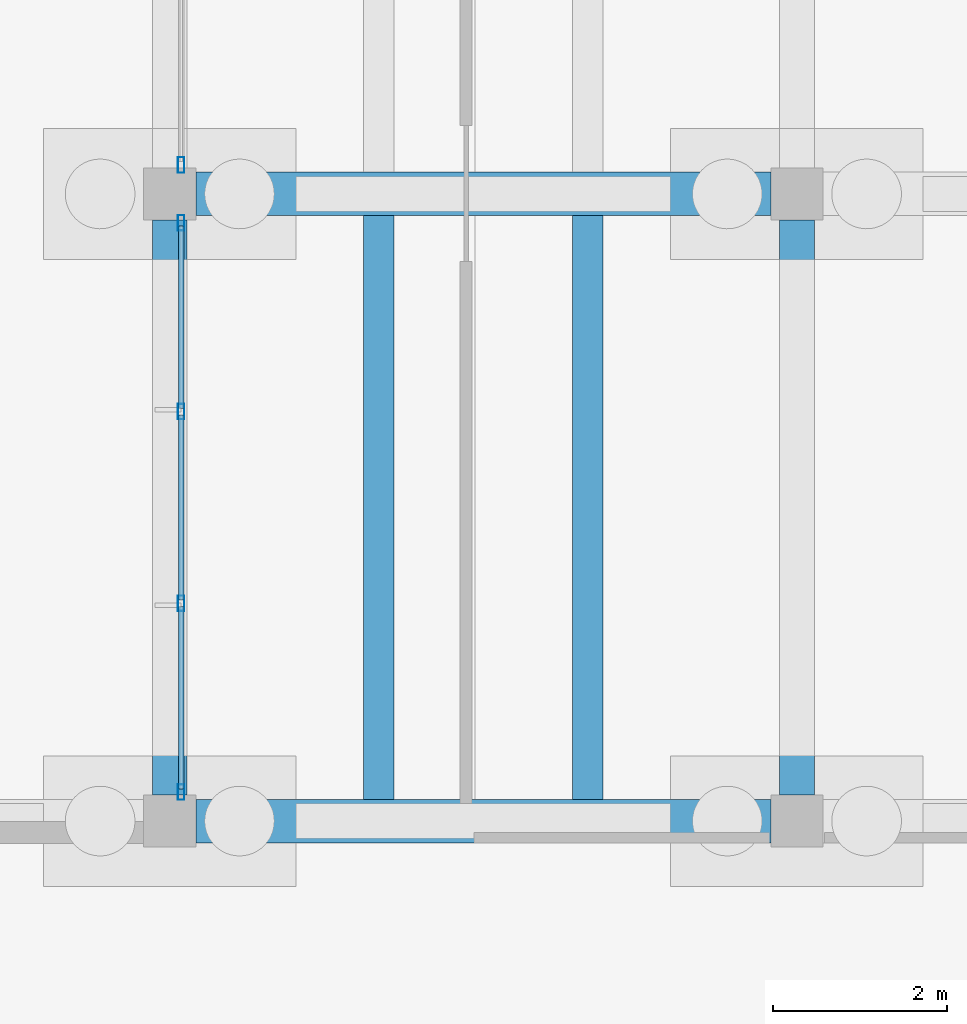
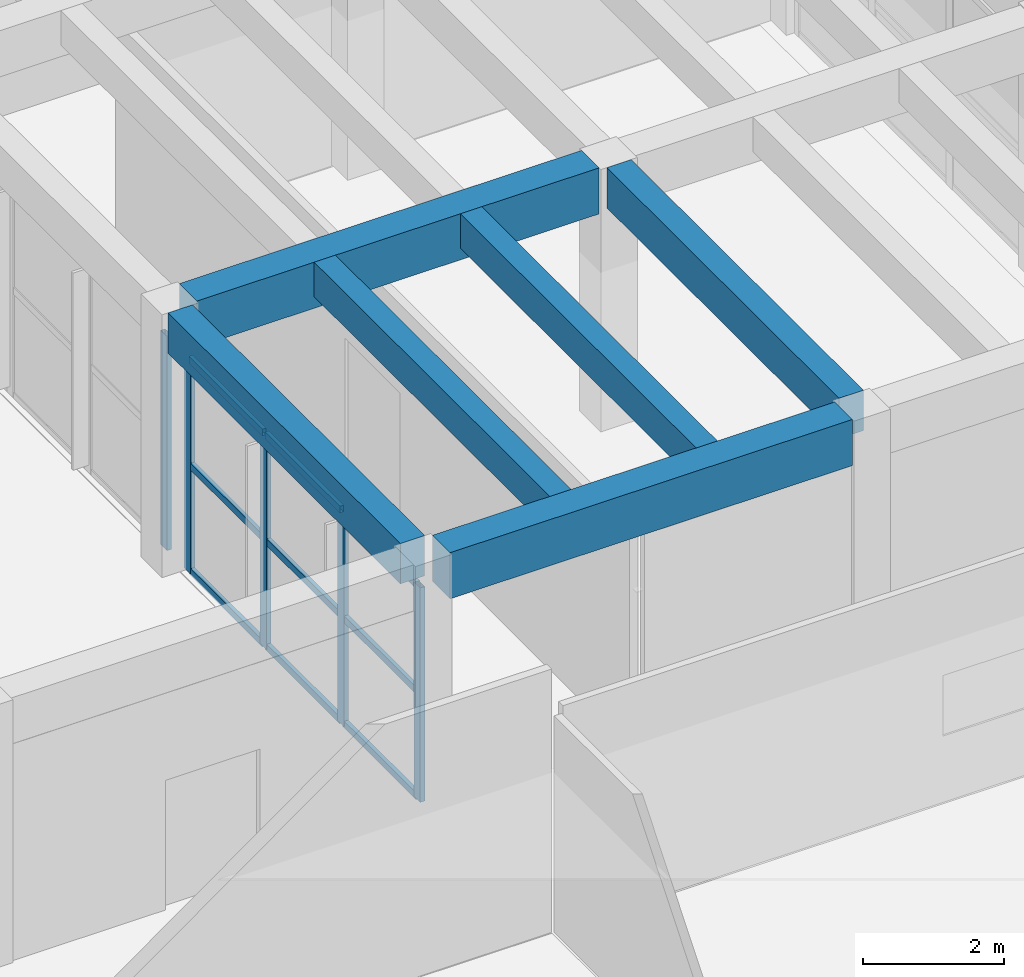
# One storey, part 46 of 155: 14 members, 6 beams, 2 elements without a shape of their own.
"""IFC4 building model written with IfcOpenShell, lengths in metres."""

import ifcopenshell
import ifcopenshell.guid

model = None  # the IFC model being written
_history = None  # IfcOwnerHistory: only IFC2X3 demands one
_inside = {}  # id of a spatial element -> (the spatial element, [elements in it])
_under = {}  # id of a project, library or spatial element -> (it, [spatial elements below it])
_declared = {}  # id of a project -> (the project, [libraries it declares])
_typed = {}  # id of a type object -> (the type object, [elements of that type])
_made_of = {}  # id of a material, layer set ... -> (it, [elements and type objects made of it])


def new_model(schema):
    """Start an empty IFC model of exactly this schema.

    Asked for "IFC4X3", IfcOpenShell would pick the latest addendum, in which some entities
    have other attributes; the version numbers below select the first issue.
    IFC2X3 requires an IfcOwnerHistory on every rooted entity: one is made here for all.
    """
    global model, _history
    if schema == "IFC4X3":
        model = ifcopenshell.file(schema_version=(4, 3, 0, 0))
    else:
        model = ifcopenshell.file(schema=schema)
    _inside.clear()
    _under.clear()
    _declared.clear()
    _typed.clear()
    _made_of.clear()
    _history = None
    if model.schema == "IFC2X3":
        org = make("IfcOrganization", Name="unknown")
        user = make(
            "IfcPersonAndOrganization",
            ThePerson=make("IfcPerson", FamilyName="unknown"),
            TheOrganization=org,
        )
        app = make(
            "IfcApplication",
            ApplicationDeveloper=org,
            Version="unknown",
            ApplicationFullName="unknown",
            ApplicationIdentifier="unknown",
        )
        _history = make(
            "IfcOwnerHistory",
            OwningUser=user,
            OwningApplication=app,
            ChangeAction="ADDED",
            CreationDate=0,
        )
    return model


def make(cls, **values):
    """One entity of the class cls with the attributes given. An attribute that is None is left unset."""
    return model.create_entity(
        cls, **{name: value for name, value in values.items() if value is not None}
    )


def rooted(cls, **values):
    """An entity with a GlobalId (a new one), such as an element, a storey or a relation."""
    return make(cls, GlobalId=ifcopenshell.guid.new(), OwnerHistory=_history, **values)


def si_unit(unit_type, name, prefix=None):
    """IfcSIUnit, for example si_unit("LENGTHUNIT", "METRE", prefix="MILLI")."""
    return make("IfcSIUnit", UnitType=unit_type, Prefix=prefix, Name=name)


def assignment(units):
    """IfcUnitAssignment: the units of a project."""
    return None if units is None else make("IfcUnitAssignment", Units=units)


def point(xyz):
    """IfcCartesianPoint."""
    return None if xyz is None else make("IfcCartesianPoint", Coordinates=xyz)


def direction(xyz):
    """IfcDirection."""
    return None if xyz is None else make("IfcDirection", DirectionRatios=xyz)


def frame(location, z_axis=None, x_axis=None):
    """IfcAxis2Placement3D, a coordinate frame: its origin and axes. An axis left out is left unset."""
    return make(
        "IfcAxis2Placement3D",
        Location=point(location),
        Axis=direction(z_axis),
        RefDirection=direction(x_axis),
    )


def frame_2d(location, x_axis=None):
    """IfcAxis2Placement2D, a coordinate frame in the plane: its origin and x axis."""
    return make(
        "IfcAxis2Placement2D", Location=point(location), RefDirection=direction(x_axis)
    )


def origin():
    """The frame at (0, 0, 0) with its axes left unset."""
    return frame((0.0, 0.0, 0.0))


def origin_2d():
    """The frame at (0, 0) in the plane with its x axis left unset."""
    return frame_2d((0.0, 0.0))


def place(relative_to, where):
    """IfcLocalPlacement: puts the frame where relative to a parent placement (None: the world)."""
    return make(
        "IfcLocalPlacement", PlacementRelTo=relative_to, RelativePlacement=where
    )


def context(
    kind, dimensions, precision=None, world=None, true_north=None, identifier=None
):
    """IfcGeometricRepresentationContext, for example the 3D "Model" context."""
    return make(
        "IfcGeometricRepresentationContext",
        ContextIdentifier=identifier,
        ContextType=kind,
        CoordinateSpaceDimension=dimensions,
        Precision=precision,
        WorldCoordinateSystem=world,
        TrueNorth=true_north,
    )


def subcontext(parent, identifier, kind, view, scale=None):
    """IfcGeometricRepresentationSubContext, for example "Body" below "Model"."""
    return make(
        "IfcGeometricRepresentationSubContext",
        ContextIdentifier=identifier,
        ContextType=kind,
        ParentContext=parent,
        TargetScale=scale,
        TargetView=view,
    )


def project(units=None, contexts=None):
    """IfcProject with its units and contexts."""
    return rooted(
        "IfcProject",
        Name="project",
        RepresentationContexts=contexts,
        UnitsInContext=assignment(units),
    )


def spatial(cls, under=None, at=None, **own):
    """A site, building, storey or space (cls), placed at a placement, below another one or the project."""
    s = rooted(cls, ObjectPlacement=at, **own)
    if under is not None:
        _under.setdefault(under.id(), (under, []))[1].append(s)
    return s


def profile(cls, at=None, kind="AREA", **sizes):
    """A parametric profile (cls). Its sizes go by their IFC names, for example OverallWidth=200.0."""
    return make(cls, ProfileType=kind, Position=at, **sizes)


def rectangle(**sizes):
    """IfcRectangleProfileDef."""
    return profile("IfcRectangleProfileDef", **sizes)


def hollow_rectangle(**sizes):
    """IfcRectangleHollowProfileDef."""
    return profile("IfcRectangleHollowProfileDef", **sizes)


def extrude(swept, where, along, depth):
    """IfcExtrudedAreaSolid: the profile swept, set in the frame where, extruded along a direction by depth."""
    return make(
        "IfcExtrudedAreaSolid",
        SweptArea=swept,
        Position=where,
        ExtrudedDirection=direction(along),
        Depth=depth,
    )


def shape(context_of_items, identifier, shape_type, items):
    """IfcShapeRepresentation: the items that make up one representation, for example the "Body"."""
    return make(
        "IfcShapeRepresentation",
        ContextOfItems=context_of_items,
        RepresentationIdentifier=identifier,
        RepresentationType=shape_type,
        Items=items,
    )


def material(Name=None, Category=None):
    """IfcMaterial."""
    return make("IfcMaterial", Name=Name, Category=Category)


def material_profile(
    of_material, cross_section, Name=None, Category=None, Priority=None
):
    """IfcMaterialProfile: a cross section and its material."""
    return make(
        "IfcMaterialProfile",
        Name=Name,
        Material=of_material,
        Profile=cross_section,
        Priority=Priority,
        Category=Category,
    )


def profile_set(profiles, Name=None, composite=None):
    """IfcMaterialProfileSet."""
    return make(
        "IfcMaterialProfileSet",
        Name=Name,
        MaterialProfiles=profiles,
        CompositeProfile=composite,
    )


def made_of(thing, what):
    """Note that an element or type object is made of a material, layer set ...; save() writes the relation."""
    if what is not None:
        _made_of.setdefault(what.id(), (what, []))[1].append(thing)
    return thing


def type_object(cls, material=None, **own):
    """A type object (cls), such as IfcWallType, which elements share."""
    return made_of(rooted(cls, **own), material)


def element(
    cls,
    number,
    at=None,
    inside=None,
    cuts=None,
    type_object=None,
    material=None,
    context=None,
    identifier="Body",
    shape_type=None,
    held_by="IfcProductDefinitionShape",
    body=None,
    shapes=None,
    **own,
):
    """One element of the class cls, such as IfcWall. Its Tag is "e" and its number.

    at: its placement. inside: the storey or other place that contains it. cuts: it is an
    opening in that element (IfcRelVoidsElement). A single representation is given by context,
    identifier, shape_type and body (its items); several are given by shapes. held_by: the class
    of the entity that holds the representations. save() writes the other relations.
    """
    e = rooted(cls, Tag="e%d" % number, ObjectPlacement=at, **own)
    if body is not None:
        shapes = [shape(context, identifier, shape_type, body)]
    if shapes is not None:
        e.Representation = make(held_by, Representations=shapes)
    if inside is not None:
        _inside.setdefault(inside.id(), (inside, []))[1].append(e)
    if cuts is not None:
        rooted(
            "IfcRelVoidsElement", RelatingBuildingElement=cuts, RelatedOpeningElement=e
        )
    if type_object is not None:
        _typed.setdefault(type_object.id(), (type_object, []))[1].append(e)
    return made_of(e, material)


def aggregate(whole, parts):
    """IfcRelAggregates: a whole, such as a stair, and the parts it consists of."""
    return rooted("IfcRelAggregates", RelatingObject=whole, RelatedObjects=parts)


def save(model, path):
    """Write the relations noted so far, then the file.

    IfcRelAggregates (storeys below a building ...), IfcRelContainedInSpatialStructure (elements
    in a storey), IfcRelDefinesByType, IfcRelAssociatesMaterial and IfcRelDeclares: one each for
    every whole, place, type object, material and project.
    """
    for whole, parts in _under.values():
        aggregate(whole, parts)
    for where, things in _inside.values():
        rooted(
            "IfcRelContainedInSpatialStructure",
            RelatedElements=things,
            RelatingStructure=where,
        )
    for kind, things in _typed.values():
        rooted("IfcRelDefinesByType", RelatedObjects=things, RelatingType=kind)
    for what, things in _made_of.values():
        rooted("IfcRelAssociatesMaterial", RelatedObjects=things, RelatingMaterial=what)
    for by, libraries in _declared.values():
        rooted("IfcRelDeclares", RelatingContext=by, RelatedDefinitions=libraries)
    model.write(path)


model = new_model("IFC4")

# Units and contexts
model_context = context("Model", 3, precision=1e-05, world=origin(), true_north=direction((0.0, 1.0)))
body_context = subcontext(model_context, "Body", "Model", "MODEL_VIEW")
ifc_project = project(units=[si_unit("LENGTHUNIT", "METRE"), si_unit("AREAUNIT", "SQUARE_METRE"), si_unit("VOLUMEUNIT", "CUBIC_METRE"), si_unit("PLANEANGLEUNIT", "RADIAN"), si_unit("MASSUNIT", "GRAM", prefix="KILO")], contexts=[model_context])

# Site, building, storey
site_placement = place(None, origin())
site = spatial("IfcSite", under=ifc_project, at=site_placement, CompositionType="ELEMENT")
building_placement = place(site_placement, origin())
building = spatial("IfcBuilding", under=site, at=building_placement, Name="Bramvelor Terrace Health Centre", CompositionType="ELEMENT")
storey_placement = place(building_placement, origin())
storey = spatial("IfcBuildingStorey", under=building, at=storey_placement, Name="L01", CompositionType="ELEMENT", Elevation=0.0)

# Beams
ifc_material_1 = material(Name="Concrete C40/50", Category="concrete")
ifc_material_profile_1 = material_profile(ifc_material_1, rectangle(XDim=0.39990234375, YDim=0.699951171875, at=origin_2d()), Name="RC 400x700")
ifc_profile_set_1 = profile_set([ifc_material_profile_1], Name="Concrete C40/50")
beam_type_1 = type_object("IfcBeamType", Name="BM-RC-G700", PredefinedType="BEAM", material=ifc_profile_set_1)
for number, where, z_axis, x_axis, name in (
    (1, (79.199951171875, 50.699951171875, 4.2099609375), (0.0, 1.0, 0.0), (-1.0, 0.0, 0.0), "L01 Floor Girder"),
    (2, (86.39990234375, 50.699951171875, 4.2099609375), (0.0, 1.0, 0.0), (-1.0, 0.0, 0.0), "L01 Floor Girder"),
):
    element("IfcBeam", number, at=place(storey_placement, frame(where, z_axis=z_axis, x_axis=x_axis)), inside=storey, type_object=beam_type_1, Name=name, PredefinedType="BEAM", context=body_context, shape_type="SweptSolid", body=[
        extrude(rectangle(XDim=0.39990234375, YDim=0.699951171875, at=origin_2d()), origin(), (0.0, 0.0, 1.0), 6.60009765625),
    ])
ifc_material_2 = material(Name="Concrete C40/50", Category="concrete")
ifc_material_profile_2 = material_profile(ifc_material_2, rectangle(XDim=0.5, YDim=0.800048828125, at=origin_2d()), Name="RC 500x800")
ifc_profile_set_2 = profile_set([ifc_material_profile_2], Name="Concrete C40/50")
beam_type_2 = type_object("IfcBeamType", Name="BM-RC-G800", PredefinedType="BEAM", material=ifc_profile_set_2)
for number, where, z_axis, x_axis, name in (
    (3, (79.5, 50.39990234375, 4.159912109375), (1.0, 0.0, 0.0), (0.0, 1.0, 0.0), "L01 Floor Girder"),
    (4, (79.5, 57.60009765625, 4.159912109375), (1.0, 0.0, 0.0), (0.0, 1.0, 0.0), "L01 Floor Girder"),
):
    element("IfcBeam", number, at=place(storey_placement, frame(where, z_axis=z_axis, x_axis=x_axis)), inside=storey, type_object=beam_type_2, Name=name, PredefinedType="BEAM", context=body_context, shape_type="SweptSolid", body=[
        extrude(rectangle(XDim=0.5, YDim=0.800048828125, at=origin_2d()), origin(), (0.0, 0.0, 1.0), 6.60009765625),
    ])
ifc_material_3 = material(Name="Concrete C40/50", Category="concrete")
ifc_material_profile_3 = material_profile(ifc_material_3, rectangle(XDim=0.35009765625, YDim=0.60009765625, at=origin_2d()), Name="RC 350x600")
ifc_profile_set_3 = profile_set([ifc_material_profile_3], Name="Concrete C40/50")
beam_type_3 = type_object("IfcBeamType", Name="BM-RC-J600", PredefinedType="JOIST", material=ifc_profile_set_3)
for number, where, z_axis, x_axis, name in (
    (5, (81.60009765625, 50.64990234375, 4.260009765625), (0.0, 1.0, 0.0), (-1.0, 0.0, 0.0), "L01 Secondary Floor Joist"),
    (6, (84.0, 50.64990234375, 4.260009765625), (0.0, 1.0, 0.0), (-1.0, 0.0, 0.0), "L01 Secondary Floor Joist"),
):
    element("IfcBeam", number, at=place(storey_placement, frame(where, z_axis=z_axis, x_axis=x_axis)), inside=storey, type_object=beam_type_3, Name=name, PredefinedType="JOIST", context=body_context, shape_type="SweptSolid", body=[
        extrude(rectangle(XDim=0.35009765625, YDim=0.60009765625, at=origin_2d()), origin(), (0.0, 0.0, 1.0), 6.7001953125),
    ])

# Curtain wall, members
ifc_material_4 = material(Name="Anodized aluminium and double low-E glass", Category="aluminium")
curtain_wall_type = type_object("IfcCurtainWallType", Name="CW-SYS-02", PredefinedType="NOTDEFINED", material=ifc_material_4)
curtain_wall_1_placement = place(storey_placement, origin())
curtain_wall_1 = element("IfcCurtainWall", 7, at=curtain_wall_1_placement, inside=storey, type_object=curtain_wall_type, Name="L01 Unitized Curtain Wall 62", PredefinedType="NOTDEFINED")
ifc_material_5 = material(Name="Anodized aluminium 6063-T6", Category="aluminium")
ifc_material_profile_4 = material_profile(ifc_material_5, hollow_rectangle(XDim=0.074951171875, YDim=0.179931640625, WallThickness=0.00341796875, at=origin_2d()), Name="ALU-MUL 75x180x3.5")
ifc_profile_set_4 = profile_set([ifc_material_profile_4], Name="Anodized aluminium 6063-T6")
member_type_1 = type_object("IfcMemberType", Name="CW-MUL-65x180", PredefinedType="MULLION", material=ifc_profile_set_4)
member_1_placement = place(storey_placement, frame((79.330078125, 50.732421875, 0.0), z_axis=(0.0, 0.0, 1.0), x_axis=(-1.0, 0.0, 0.0)))
member_1 = element("IfcMember", 8, at=member_1_placement, type_object=member_type_1, Name="CW-02 mullion 1", PredefinedType="MULLION", context=body_context, shape_type="SweptSolid", body=[
    extrude(hollow_rectangle(XDim=0.074951171875, YDim=0.179931640625, WallThickness=0.00341796875, at=origin_2d()), origin(), (0.0, 0.0, 1.0), 3.719970703125),
])
member_2_placement = place(storey_placement, frame((79.330078125, 52.8984375, 0.0), z_axis=(0.0, 0.0, 1.0), x_axis=(-1.0, 0.0, 0.0)))
member_2 = element("IfcMember", 9, at=member_2_placement, type_object=member_type_1, Name="CW-02 mullion 2", PredefinedType="MULLION", context=body_context, shape_type="SweptSolid", body=[
    extrude(hollow_rectangle(XDim=0.074951171875, YDim=0.179931640625, WallThickness=0.00341796875, at=origin_2d()), origin(), (0.0, 0.0, 1.0), 3.719970703125),
])
member_3_placement = place(storey_placement, frame((79.330078125, 55.1015625, 0.0), z_axis=(0.0, 0.0, 1.0), x_axis=(-1.0, 0.0, 0.0)))
member_3 = element("IfcMember", 10, at=member_3_placement, type_object=member_type_1, Name="CW-02 mullion 3", PredefinedType="MULLION", context=body_context, shape_type="SweptSolid", body=[
    extrude(hollow_rectangle(XDim=0.074951171875, YDim=0.179931640625, WallThickness=0.00341796875, at=origin_2d()), origin(), (0.0, 0.0, 1.0), 3.719970703125),
])
member_4_placement = place(storey_placement, frame((79.330078125, 57.267578125, 0.0), z_axis=(0.0, 0.0, 1.0), x_axis=(-1.0, 0.0, 0.0)))
member_4 = element("IfcMember", 11, at=member_4_placement, type_object=member_type_1, Name="CW-02 mullion 4", PredefinedType="MULLION", context=body_context, shape_type="SweptSolid", body=[
    extrude(hollow_rectangle(XDim=0.074951171875, YDim=0.179931640625, WallThickness=0.00341796875, at=origin_2d()), origin(), (0.0, 0.0, 1.0), 3.719970703125),
])

# Curtain wall, member
curtain_wall_2_placement = place(storey_placement, origin())
curtain_wall_2 = element("IfcCurtainWall", 12, at=curtain_wall_2_placement, inside=storey, type_object=curtain_wall_type, Name="L01 Unitized Curtain Wall 63", PredefinedType="NOTDEFINED")
member_5_placement = place(storey_placement, frame((79.330078125, 57.9326171875, 0.0), z_axis=(0.0, 0.0, 1.0), x_axis=(-1.0, 0.0, 0.0)))
member_5 = element("IfcMember", 13, at=member_5_placement, type_object=member_type_1, Name="CW-02 mullion 1", PredefinedType="MULLION", context=body_context, shape_type="SweptSolid", body=[
    extrude(hollow_rectangle(XDim=0.074951171875, YDim=0.179931640625, WallThickness=0.00341796875, at=origin_2d()), origin(), (0.0, 0.0, 1.0), 3.719970703125),
])
aggregate(curtain_wall_2, [member_5])

# Member
ifc_material_6 = material(Name="Anodized aluminium 6063-T6", Category="aluminium")
ifc_material_profile_5 = material_profile(ifc_material_6, hollow_rectangle(XDim=0.06494140625, YDim=0.1201171875, WallThickness=0.0029296875, at=origin_2d()), Name="ALU-TRN 65x120x3.0")
ifc_profile_set_5 = profile_set([ifc_material_profile_5], Name="Anodized aluminium 6063-T6")
member_type_2 = type_object("IfcMemberType", Name="CW-TRN-65x150", PredefinedType="USERDEFINED", material=ifc_profile_set_5)
member_6_placement = place(storey_placement, frame((79.330078125, 50.77001953125, 0.032470703125), z_axis=(0.0, 1.0, 0.0), x_axis=(-1.0, 0.0, 0.0)))
member_6 = element("IfcMember", 14, at=member_6_placement, type_object=member_type_2, Name="CW-02 transom 1.1", ObjectType="TRANSOM", PredefinedType="USERDEFINED", context=body_context, shape_type="SweptSolid", body=[
    extrude(hollow_rectangle(XDim=0.06494140625, YDim=0.1201171875, WallThickness=0.0029296875, at=origin_2d()), origin(), (0.0, 0.0, 1.0), 2.0908203125),
])

member_7_placement = place(storey_placement, frame((79.330078125, 50.77001953125, 1.860107421875), z_axis=(0.0, 1.0, 0.0), x_axis=(-1.0, 0.0, 0.0)))
member_7 = element("IfcMember", 15, at=member_7_placement, type_object=member_type_2, Name="CW-02 transom 1.2", ObjectType="TRANSOM", PredefinedType="USERDEFINED", context=body_context, shape_type="SweptSolid", body=[
    extrude(hollow_rectangle(XDim=0.06494140625, YDim=0.1201171875, WallThickness=0.0029296875, at=origin_2d()), origin(), (0.0, 0.0, 1.0), 2.0908203125),
])

member_8_placement = place(storey_placement, frame((79.330078125, 50.77001953125, 3.6875), z_axis=(0.0, 1.0, 0.0), x_axis=(-1.0, 0.0, 0.0)))
member_8 = element("IfcMember", 16, at=member_8_placement, type_object=member_type_2, Name="CW-02 transom 1.3", ObjectType="TRANSOM", PredefinedType="USERDEFINED", context=body_context, shape_type="SweptSolid", body=[
    extrude(hollow_rectangle(XDim=0.06494140625, YDim=0.1201171875, WallThickness=0.0029296875, at=origin_2d()), origin(), (0.0, 0.0, 1.0), 2.0908203125),
])

member_9_placement = place(storey_placement, frame((79.330078125, 52.935791015625, 0.032470703125), z_axis=(0.0, 1.0, 0.0), x_axis=(-1.0, 0.0, 0.0)))
member_9 = element("IfcMember", 17, at=member_9_placement, type_object=member_type_2, Name="CW-02 transom 2.1", ObjectType="TRANSOM", PredefinedType="USERDEFINED", context=body_context, shape_type="SweptSolid", body=[
    extrude(hollow_rectangle(XDim=0.06494140625, YDim=0.1201171875, WallThickness=0.0029296875, at=origin_2d()), origin(), (0.0, 0.0, 1.0), 2.12841796875),
])

member_10_placement = place(storey_placement, frame((79.330078125, 52.935791015625, 1.860107421875), z_axis=(0.0, 1.0, 0.0), x_axis=(-1.0, 0.0, 0.0)))
member_10 = element("IfcMember", 18, at=member_10_placement, type_object=member_type_2, Name="CW-02 transom 2.2", ObjectType="TRANSOM", PredefinedType="USERDEFINED", context=body_context, shape_type="SweptSolid", body=[
    extrude(hollow_rectangle(XDim=0.06494140625, YDim=0.1201171875, WallThickness=0.0029296875, at=origin_2d()), origin(), (0.0, 0.0, 1.0), 2.12841796875),
])

member_11_placement = place(storey_placement, frame((79.330078125, 52.935791015625, 3.6875), z_axis=(0.0, 1.0, 0.0), x_axis=(-1.0, 0.0, 0.0)))
member_11 = element("IfcMember", 19, at=member_11_placement, type_object=member_type_2, Name="CW-02 transom 2.3", ObjectType="TRANSOM", PredefinedType="USERDEFINED", context=body_context, shape_type="SweptSolid", body=[
    extrude(hollow_rectangle(XDim=0.06494140625, YDim=0.1201171875, WallThickness=0.0029296875, at=origin_2d()), origin(), (0.0, 0.0, 1.0), 2.12841796875),
])

member_12_placement = place(storey_placement, frame((79.330078125, 55.13916015625, 0.032470703125), z_axis=(0.0, 1.0, 0.0), x_axis=(-1.0, 0.0, 0.0)))
member_12 = element("IfcMember", 20, at=member_12_placement, type_object=member_type_2, Name="CW-02 transom 3.1", ObjectType="TRANSOM", PredefinedType="USERDEFINED", context=body_context, shape_type="SweptSolid", body=[
    extrude(hollow_rectangle(XDim=0.06494140625, YDim=0.1201171875, WallThickness=0.0029296875, at=origin_2d()), origin(), (0.0, 0.0, 1.0), 2.0908203125),
])

member_13_placement = place(storey_placement, frame((79.330078125, 55.13916015625, 1.860107421875), z_axis=(0.0, 1.0, 0.0), x_axis=(-1.0, 0.0, 0.0)))
member_13 = element("IfcMember", 21, at=member_13_placement, type_object=member_type_2, Name="CW-02 transom 3.2", ObjectType="TRANSOM", PredefinedType="USERDEFINED", context=body_context, shape_type="SweptSolid", body=[
    extrude(hollow_rectangle(XDim=0.06494140625, YDim=0.1201171875, WallThickness=0.0029296875, at=origin_2d()), origin(), (0.0, 0.0, 1.0), 2.0908203125),
])

member_14_placement = place(storey_placement, frame((79.330078125, 55.13916015625, 3.6875), z_axis=(0.0, 1.0, 0.0), x_axis=(-1.0, 0.0, 0.0)))
member_14 = element("IfcMember", 22, at=member_14_placement, type_object=member_type_2, Name="CW-02 transom 3.3", ObjectType="TRANSOM", PredefinedType="USERDEFINED", context=body_context, shape_type="SweptSolid", body=[
    extrude(hollow_rectangle(XDim=0.06494140625, YDim=0.1201171875, WallThickness=0.0029296875, at=origin_2d()), origin(), (0.0, 0.0, 1.0), 2.0908203125),
])

aggregate(curtain_wall_1, [member_1, member_2, member_3, member_4, member_6, member_7, member_8, member_9, member_10, member_11, member_12, member_13, member_14])

save(model, "model.ifc")
